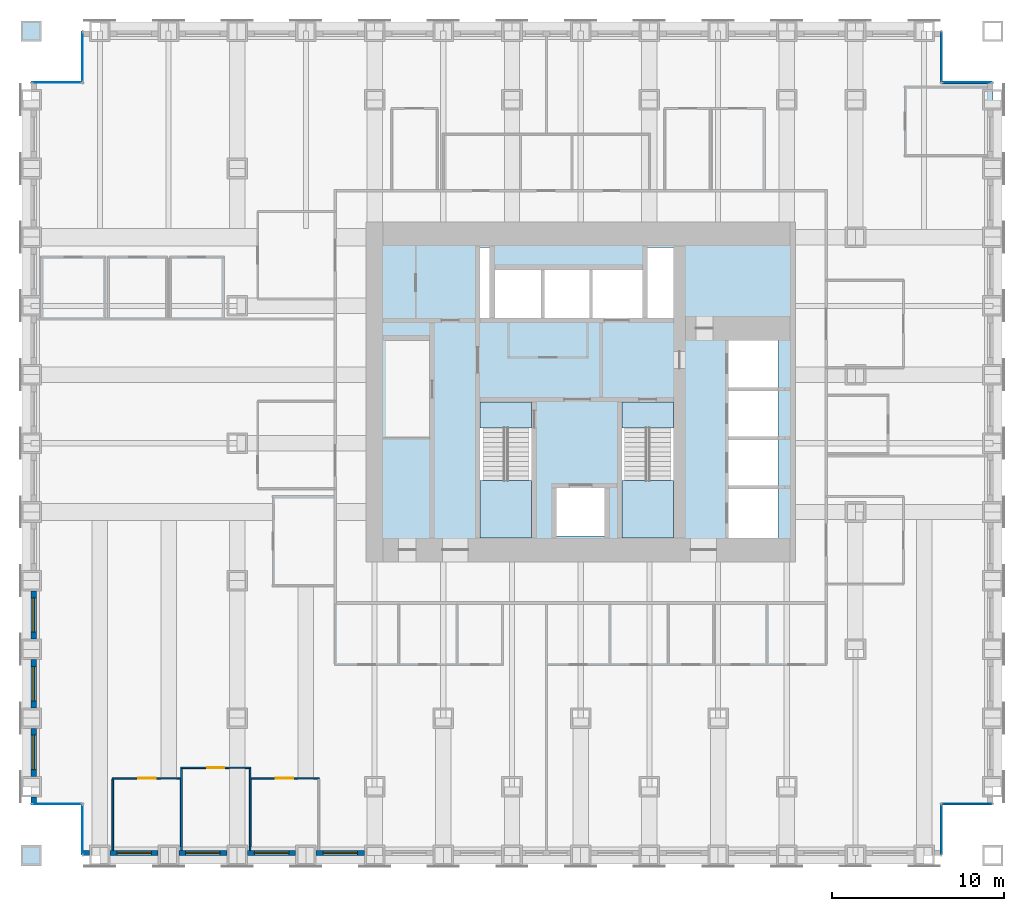
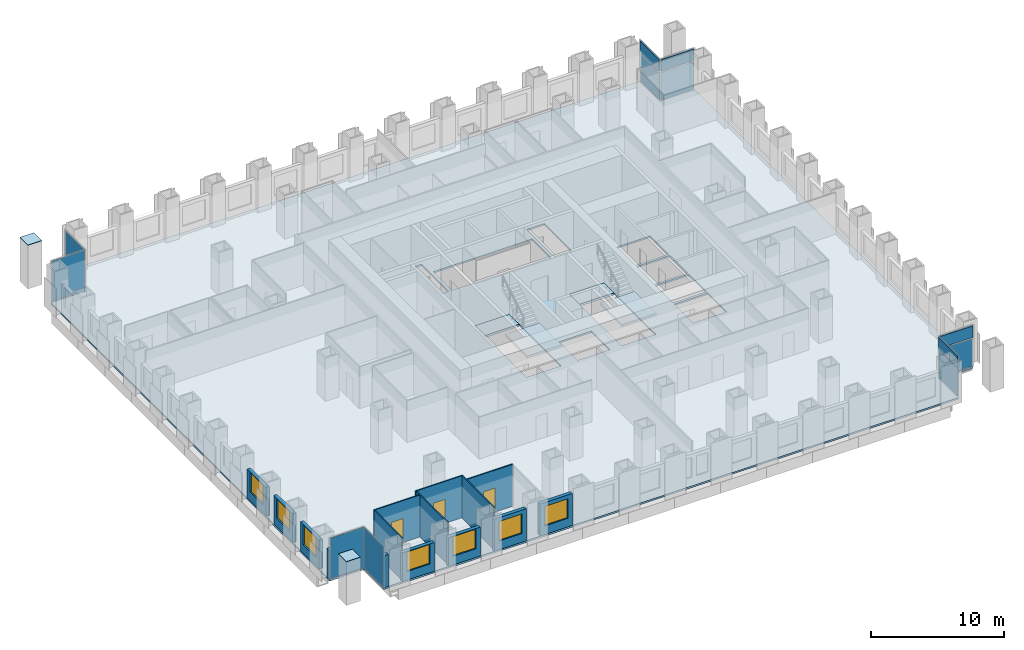
# One storey, part 7 of 15: 15 walls, 14 plates, 7 windows, 5 slabs, 3 doors, 10 openings, 14 elements without a shape of their own.
"""IFC4 building model written with IfcOpenShell, lengths in metres."""

from ifc_helpers import new_model, si_unit, direction, frame, frame_2d, origin, origin_2d, place, context, subcontext, project, spatial, polyline, rectangle, outline, extrude, material, layer, layer_set, type_object, element, fill, aggregate, save


model = new_model("IFC4")

# Units and contexts
model_context = context("Model", 3, precision=1e-05, world=origin(), true_north=direction((0.0, 1.0)))
body_context = subcontext(model_context, "Body", "Model", "MODEL_VIEW")
ifc_project = project(units=[si_unit("LENGTHUNIT", "METRE"), si_unit("AREAUNIT", "SQUARE_METRE"), si_unit("VOLUMEUNIT", "CUBIC_METRE"), si_unit("PLANEANGLEUNIT", "RADIAN"), si_unit("MASSUNIT", "GRAM", prefix="KILO")], contexts=[model_context])

# Site, building, storey
site_placement = place(None, origin())
site = spatial("IfcSite", under=ifc_project, at=site_placement, CompositionType="ELEMENT")
building_placement = place(site_placement, origin())
building = spatial("IfcBuilding", under=site, at=building_placement, Name="Rimbunsela Tower", CompositionType="ELEMENT")
storey_placement = place(building_placement, frame((0.0, 0.0, 67.0)))
storey = spatial("IfcBuildingStorey", under=building, at=storey_placement, Name="L16", CompositionType="ELEMENT", Elevation=67.0)

# Plates
ifc_material_1 = material(Name="Steel BJ 55 (fy 410 MPa)", Category="steel")
ifc_layer_1 = layer(ifc_material_1, 0.050048828125)
ifc_layer_set_1 = layer_set([ifc_layer_1], Name="End cap plate 50")
plate_type_1 = type_object("IfcPlateType", Name="End cap plate 50", PredefinedType="SHEET", material=ifc_layer_set_1)
for number, where, z_axis, x_axis, name in (
    (1, (-2.0, 0.0, 4.0), (0.0, 0.0, 1.0), (1.0, 0.0, 0.0), "End cap Column C6 2/B L16"),
    (2, (-2.0, 48.0, 4.0), (0.0, 0.0, 1.0), (1.0, 0.0, 0.0), "End cap Column C6 2/P L16"),
):
    element("IfcPlate", number, at=place(storey_placement, frame(where, z_axis=z_axis, x_axis=x_axis)), inside=storey, type_object=plate_type_1, Name=name, PredefinedType="SHEET", context=body_context, shape_type="SweptSolid", body=[
        extrude(rectangle(XDim=1.199951171875, YDim=1.199951171875, at=origin_2d()), origin(), (0.0, 0.0, 1.0), 0.050048828125),
    ])

# Slab
ifc_material_2 = material(Name="Concrete fc' 35 MPa", Category="concrete")
ifc_layer_2 = layer(ifc_material_2, 0.14990234375)
ifc_layer_set_2 = layer_set([ifc_layer_2], Name="Floor slab 150")
slab_type_1 = type_object("IfcSlabType", Name="Floor slab 150", PredefinedType="FLOOR", material=ifc_layer_set_2)
slab_1_placement = place(storey_placement, frame((0.0, 0.0, -0.14990234375)))
element("IfcSlab", 3, at=slab_1_placement, inside=storey, type_object=slab_type_1, Name="Floor slab L16", PredefinedType="FLOOR", context=body_context, shape_type="SweptSolid", body=[
    extrude(outline(polyline([(1.0, 0.0), (51.0, 0.0), (51.0, 3.0), (54.0, 3.0), (54.0, 45.0), (51.0, 45.0), (51.0, 48.0), (1.0, 48.0), (1.0, 45.0), (-2.0, 45.0), (-2.0, 3.0), (1.0, 3.0), (1.0, 0.0)]), holes=[polyline([(27.14990234375, 18.60009765625), (27.14990234375, 26.39990234375), (24.14990234375, 26.39990234375), (24.14990234375, 18.60009765625), (27.14990234375, 18.60009765625)]), polyline([(24.699951171875, 31.300048828125), (24.699951171875, 35.39990234375), (24.14990234375, 35.39990234375), (24.14990234375, 31.300048828125), (24.699951171875, 31.300048828125)]), polyline([(25.0, 34.10009765625), (25.0, 31.300048828125), (33.60009765625, 31.300048828125), (33.60009765625, 34.10009765625), (25.0, 34.10009765625)]), polyline([(31.39990234375, 21.39990234375), (28.60009765625, 21.39990234375), (28.60009765625, 18.60009765625), (31.39990234375, 18.60009765625), (31.39990234375, 21.39990234375)]), polyline([(35.39990234375, 18.60009765625), (35.39990234375, 26.39990234375), (32.39990234375, 26.39990234375), (32.39990234375, 18.60009765625), (35.39990234375, 18.60009765625)]), polyline([(35.39990234375, 31.300048828125), (35.39990234375, 35.39990234375), (33.89990234375, 35.39990234375), (33.89990234375, 31.300048828125), (35.39990234375, 31.300048828125)]), polyline([(41.5, 21.35009765625), (38.60009765625, 21.35009765625), (38.60009765625, 18.5), (41.5, 18.5), (41.5, 21.35009765625)]), polyline([(41.5, 21.550048828125), (41.5, 24.199951171875), (38.60009765625, 24.199951171875), (38.60009765625, 21.550048828125), (41.5, 21.550048828125)]), polyline([(41.5, 27.050048828125), (38.60009765625, 27.050048828125), (38.60009765625, 24.39990234375), (41.5, 24.39990234375), (41.5, 27.050048828125)]), polyline([(41.5, 27.25), (41.5, 30.0), (38.60009765625, 30.0), (38.60009765625, 27.25), (41.5, 27.25)])]), origin(), (0.0, 0.0, 1.0), 0.14990234375),
])

# Curtain wall, plate
ifc_material_3 = material(Name="Aluminium curtain wall", Category="aluminium")
curtain_wall_type_1 = type_object("IfcCurtainWallType", Name="Corner glazing", PredefinedType="USERDEFINED", material=ifc_material_3)
curtain_wall_1_placement = place(storey_placement, origin())
curtain_wall_1 = element("IfcCurtainWall", 4, at=curtain_wall_1_placement, inside=storey, type_object=curtain_wall_type_1, Name="Corner glazing L16", ObjectType="CORNER GLAZING", PredefinedType="USERDEFINED")
ifc_material_4 = material(Name="Clear double glazing", Category="glass")
ifc_layer_3 = layer(ifc_material_4, 0.028076171875)
ifc_layer_set_3 = layer_set([ifc_layer_3], Name="Glazed panel clear")
plate_type_2 = type_object("IfcPlateType", Name="Glazed panel clear", PredefinedType="CURTAIN_PANEL", material=ifc_layer_set_3)
plate_1_placement = place(storey_placement, frame((51.0, 1.5, 0.06005859375), z_axis=(0.0, 0.0, 1.0), x_axis=(0.0, 1.0, 0.0)))
plate_1 = element("IfcPlate", 5, at=plate_1_placement, type_object=plate_type_2, Name="CW5 panel 1.1", PredefinedType="CURTAIN_PANEL", context=body_context, shape_type="SweptSolid", body=[
    extrude(rectangle(XDim=2.8798828125, YDim=0.028076171875, at=origin_2d()), origin(), (0.0, 0.0, 1.0), 2.530029296875),
])
aggregate(curtain_wall_1, [plate_1])

curtain_wall_2_placement = place(storey_placement, origin())
curtain_wall_2 = element("IfcCurtainWall", 6, at=curtain_wall_2_placement, inside=storey, type_object=curtain_wall_type_1, Name="Corner glazing L16", ObjectType="CORNER GLAZING", PredefinedType="USERDEFINED")
plate_2_placement = place(storey_placement, frame((52.5, 3.0, 0.06005859375), z_axis=(0.0, 0.0, 1.0), x_axis=(1.0, 0.0, 0.0)))
plate_2 = element("IfcPlate", 7, at=plate_2_placement, type_object=plate_type_2, Name="CW5 panel 1.1", PredefinedType="CURTAIN_PANEL", context=body_context, shape_type="SweptSolid", body=[
    extrude(rectangle(XDim=2.8798828125, YDim=0.028076171875, at=origin_2d()), origin(), (0.0, 0.0, 1.0), 2.530029296875),
])
aggregate(curtain_wall_2, [plate_2])

curtain_wall_3_placement = place(storey_placement, origin())
curtain_wall_3 = element("IfcCurtainWall", 8, at=curtain_wall_3_placement, inside=storey, type_object=curtain_wall_type_1, Name="Corner glazing L16", ObjectType="CORNER GLAZING", PredefinedType="USERDEFINED")
plate_3_placement = place(storey_placement, frame((52.5, 45.0, 0.06005859375), z_axis=(0.0, 0.0, 1.0), x_axis=(-1.0, 0.0, 0.0)))
plate_3 = element("IfcPlate", 9, at=plate_3_placement, type_object=plate_type_2, Name="CW5 panel 1.1", PredefinedType="CURTAIN_PANEL", context=body_context, shape_type="SweptSolid", body=[
    extrude(rectangle(XDim=2.8798828125, YDim=0.028076171875, at=origin_2d()), origin(), (0.0, 0.0, 1.0), 2.530029296875),
])
aggregate(curtain_wall_3, [plate_3])

curtain_wall_4_placement = place(storey_placement, origin())
curtain_wall_4 = element("IfcCurtainWall", 10, at=curtain_wall_4_placement, inside=storey, type_object=curtain_wall_type_1, Name="Corner glazing L16", ObjectType="CORNER GLAZING", PredefinedType="USERDEFINED")
plate_4_placement = place(storey_placement, frame((51.0, 46.5, 0.06005859375), z_axis=(0.0, 0.0, 1.0), x_axis=(0.0, 1.0, 0.0)))
plate_4 = element("IfcPlate", 11, at=plate_4_placement, type_object=plate_type_2, Name="CW5 panel 1.1", PredefinedType="CURTAIN_PANEL", context=body_context, shape_type="SweptSolid", body=[
    extrude(rectangle(XDim=2.8798828125, YDim=0.028076171875, at=origin_2d()), origin(), (0.0, 0.0, 1.0), 2.530029296875),
])
aggregate(curtain_wall_4, [plate_4])

curtain_wall_5_placement = place(storey_placement, origin())
curtain_wall_5 = element("IfcCurtainWall", 12, at=curtain_wall_5_placement, inside=storey, type_object=curtain_wall_type_1, Name="Corner glazing L16", ObjectType="CORNER GLAZING", PredefinedType="USERDEFINED")
plate_5_placement = place(storey_placement, frame((1.0, 46.5, 0.06005859375), z_axis=(0.0, 0.0, 1.0), x_axis=(0.0, -1.0, 0.0)))
plate_5 = element("IfcPlate", 13, at=plate_5_placement, type_object=plate_type_2, Name="CW5 panel 1.1", PredefinedType="CURTAIN_PANEL", context=body_context, shape_type="SweptSolid", body=[
    extrude(rectangle(XDim=2.8798828125, YDim=0.028076171875, at=origin_2d()), origin(), (0.0, 0.0, 1.0), 3.72998046875),
])
aggregate(curtain_wall_5, [plate_5])

curtain_wall_6_placement = place(storey_placement, origin())
curtain_wall_6 = element("IfcCurtainWall", 14, at=curtain_wall_6_placement, inside=storey, type_object=curtain_wall_type_1, Name="Corner glazing L16", ObjectType="CORNER GLAZING", PredefinedType="USERDEFINED")
plate_6_placement = place(storey_placement, frame((-0.5, 45.0, 0.06005859375), z_axis=(0.0, 0.0, 1.0), x_axis=(-1.0, 0.0, 0.0)))
plate_6 = element("IfcPlate", 15, at=plate_6_placement, type_object=plate_type_2, Name="CW5 panel 1.1", PredefinedType="CURTAIN_PANEL", context=body_context, shape_type="SweptSolid", body=[
    extrude(rectangle(XDim=2.8798828125, YDim=0.028076171875, at=origin_2d()), origin(), (0.0, 0.0, 1.0), 3.72998046875),
])
aggregate(curtain_wall_6, [plate_6])

curtain_wall_7_placement = place(storey_placement, origin())
curtain_wall_7 = element("IfcCurtainWall", 16, at=curtain_wall_7_placement, inside=storey, type_object=curtain_wall_type_1, Name="Corner glazing L16", ObjectType="CORNER GLAZING", PredefinedType="USERDEFINED")
plate_7_placement = place(storey_placement, frame((-0.5, 3.0, 0.06005859375), z_axis=(0.0, 0.0, 1.0), x_axis=(1.0, 0.0, 0.0)))
plate_7 = element("IfcPlate", 17, at=plate_7_placement, type_object=plate_type_2, Name="CW5 panel 1.1", PredefinedType="CURTAIN_PANEL", context=body_context, shape_type="SweptSolid", body=[
    extrude(rectangle(XDim=2.8798828125, YDim=0.028076171875, at=origin_2d()), origin(), (0.0, 0.0, 1.0), 3.72998046875),
])
aggregate(curtain_wall_7, [plate_7])

curtain_wall_8_placement = place(storey_placement, origin())
curtain_wall_8 = element("IfcCurtainWall", 18, at=curtain_wall_8_placement, inside=storey, type_object=curtain_wall_type_1, Name="Corner glazing L16", ObjectType="CORNER GLAZING", PredefinedType="USERDEFINED")
plate_8_placement = place(storey_placement, frame((1.0, 1.5, 0.06005859375), z_axis=(0.0, 0.0, 1.0), x_axis=(0.0, -1.0, 0.0)))
plate_8 = element("IfcPlate", 19, at=plate_8_placement, type_object=plate_type_2, Name="CW5 panel 1.1", PredefinedType="CURTAIN_PANEL", context=body_context, shape_type="SweptSolid", body=[
    extrude(rectangle(XDim=2.8798828125, YDim=0.028076171875, at=origin_2d()), origin(), (0.0, 0.0, 1.0), 3.72998046875),
])
aggregate(curtain_wall_8, [plate_8])

ifc_material_5 = material(Name="Aluminium curtain wall", Category="aluminium")
curtain_wall_type_2 = type_object("IfcCurtainWallType", Name="Spandrel wall", PredefinedType="USERDEFINED", material=ifc_material_5)
curtain_wall_9_placement = place(storey_placement, origin())
curtain_wall_9 = element("IfcCurtainWall", 20, at=curtain_wall_9_placement, inside=storey, type_object=curtain_wall_type_2, Name="Spandrel wall L16", ObjectType="SPANDREL WALL", PredefinedType="USERDEFINED")
ifc_material_6 = material(Name="Insulated aluminium spandrel panel", Category="aluminium")
ifc_layer_4 = layer(ifc_material_6, 0.10009765625)
ifc_layer_set_4 = layer_set([ifc_layer_4], Name="Insulated panel 100")
plate_type_3 = type_object("IfcPlateType", Name="Insulated panel 100", PredefinedType="CURTAIN_PANEL", material=ifc_layer_set_4)
plate_9_placement = place(storey_placement, frame((51.0, 1.5, 2.7099609375), z_axis=(0.0, 0.0, 1.0), x_axis=(0.0, 1.0, 0.0)))
plate_9 = element("IfcPlate", 21, at=plate_9_placement, type_object=plate_type_3, Name="CW7 panel 1.1", PredefinedType="CURTAIN_PANEL", context=body_context, shape_type="SweptSolid", body=[
    extrude(rectangle(XDim=2.8798828125, YDim=0.10009765625, at=origin_2d()), origin(), (0.0, 0.0, 1.0), 1.080078125),
])
aggregate(curtain_wall_9, [plate_9])

curtain_wall_10_placement = place(storey_placement, origin())
curtain_wall_10 = element("IfcCurtainWall", 22, at=curtain_wall_10_placement, inside=storey, type_object=curtain_wall_type_2, Name="Spandrel wall L16", ObjectType="SPANDREL WALL", PredefinedType="USERDEFINED")
plate_10_placement = place(storey_placement, frame((52.5, 3.0, 2.7099609375), z_axis=(0.0, 0.0, 1.0), x_axis=(1.0, 0.0, 0.0)))
plate_10 = element("IfcPlate", 23, at=plate_10_placement, type_object=plate_type_3, Name="CW7 panel 1.1", PredefinedType="CURTAIN_PANEL", context=body_context, shape_type="SweptSolid", body=[
    extrude(rectangle(XDim=2.8798828125, YDim=0.10009765625, at=origin_2d()), origin(), (0.0, 0.0, 1.0), 1.080078125),
])
aggregate(curtain_wall_10, [plate_10])

curtain_wall_11_placement = place(storey_placement, origin())
curtain_wall_11 = element("IfcCurtainWall", 24, at=curtain_wall_11_placement, inside=storey, type_object=curtain_wall_type_2, Name="Spandrel wall L16", ObjectType="SPANDREL WALL", PredefinedType="USERDEFINED")
plate_11_placement = place(storey_placement, frame((52.5, 45.0, 2.7099609375), z_axis=(0.0, 0.0, 1.0), x_axis=(-1.0, 0.0, 0.0)))
plate_11 = element("IfcPlate", 25, at=plate_11_placement, type_object=plate_type_3, Name="CW7 panel 1.1", PredefinedType="CURTAIN_PANEL", context=body_context, shape_type="SweptSolid", body=[
    extrude(rectangle(XDim=2.8798828125, YDim=0.10009765625, at=origin_2d()), origin(), (0.0, 0.0, 1.0), 1.080078125),
])
aggregate(curtain_wall_11, [plate_11])

curtain_wall_12_placement = place(storey_placement, origin())
curtain_wall_12 = element("IfcCurtainWall", 26, at=curtain_wall_12_placement, inside=storey, type_object=curtain_wall_type_2, Name="Spandrel wall L16", ObjectType="SPANDREL WALL", PredefinedType="USERDEFINED")
plate_12_placement = place(storey_placement, frame((51.0, 46.5, 2.7099609375), z_axis=(0.0, 0.0, 1.0), x_axis=(0.0, 1.0, 0.0)))
plate_12 = element("IfcPlate", 27, at=plate_12_placement, type_object=plate_type_3, Name="CW7 panel 1.1", PredefinedType="CURTAIN_PANEL", context=body_context, shape_type="SweptSolid", body=[
    extrude(rectangle(XDim=2.8798828125, YDim=0.10009765625, at=origin_2d()), origin(), (0.0, 0.0, 1.0), 1.080078125),
])
aggregate(curtain_wall_12, [plate_12])

# Stair, slabs
ifc_material_7 = material(Name="Concrete fc' 35 MPa", Category="concrete")
stair_type = type_object("IfcStairType", Name="Exit stair 24 risers", PredefinedType="HALF_TURN_STAIR", material=ifc_material_7)
stair_1_placement = place(storey_placement, origin())
stair_1 = element("IfcStair", 28, at=stair_1_placement, inside=storey, type_object=stair_type, Name="Exit stair A L16", PredefinedType="HALF_TURN_STAIR")
ifc_material_8 = material(Name="Concrete fc' 35 MPa", Category="concrete")
ifc_layer_5 = layer(ifc_material_8, 0.199951171875)
ifc_layer_set_5 = layer_set([ifc_layer_5], Name="Stair landing 200")
slab_type_2 = type_object("IfcSlabType", Name="Stair landing 200", PredefinedType="LANDING", material=ifc_layer_set_5)
slab_2_placement = place(storey_placement, frame((0.0, 0.0, -0.199951171875)))
slab_2 = element("IfcSlab", 29, at=slab_2_placement, type_object=slab_type_2, Name="ST-A landing 1", PredefinedType="LANDING", context=body_context, shape_type="SweptSolid", body=[
    extrude(outline(polyline([(24.14990234375, 24.89990234375), (27.14990234375, 24.89990234375), (27.14990234375, 26.39990234375), (24.14990234375, 26.39990234375), (24.14990234375, 24.89990234375)])), origin(), (0.0, 0.0, 1.0), 0.199951171875),
])
slab_3_placement = place(storey_placement, frame((0.0, 0.0, 1.800048828125)))
slab_3 = element("IfcSlab", 30, at=slab_3_placement, type_object=slab_type_2, Name="ST-A landing 2", PredefinedType="LANDING", context=body_context, shape_type="SweptSolid", body=[
    extrude(outline(polyline([(24.14990234375, 18.5), (27.14990234375, 18.5), (27.14990234375, 21.820068359375), (24.14990234375, 21.820068359375), (24.14990234375, 18.5)])), origin(), (0.0, 0.0, 1.0), 0.199951171875),
])
aggregate(stair_1, [slab_2, slab_3])

stair_2_placement = place(storey_placement, origin())
stair_2 = element("IfcStair", 31, at=stair_2_placement, inside=storey, type_object=stair_type, Name="Exit stair B L16", PredefinedType="HALF_TURN_STAIR")
slab_4_placement = place(storey_placement, frame((0.0, 0.0, -0.199951171875)))
slab_4 = element("IfcSlab", 32, at=slab_4_placement, type_object=slab_type_2, Name="ST-B landing 1", PredefinedType="LANDING", context=body_context, shape_type="SweptSolid", body=[
    extrude(outline(polyline([(32.39990234375, 24.89990234375), (35.39990234375, 24.89990234375), (35.39990234375, 26.39990234375), (32.39990234375, 26.39990234375), (32.39990234375, 24.89990234375)])), origin(), (0.0, 0.0, 1.0), 0.199951171875),
])
slab_5_placement = place(storey_placement, frame((0.0, 0.0, 1.800048828125)))
slab_5 = element("IfcSlab", 33, at=slab_5_placement, type_object=slab_type_2, Name="ST-B landing 2", PredefinedType="LANDING", context=body_context, shape_type="SweptSolid", body=[
    extrude(outline(polyline([(32.39990234375, 18.5), (35.39990234375, 18.5), (35.39990234375, 21.820068359375), (32.39990234375, 21.820068359375), (32.39990234375, 18.5)])), origin(), (0.0, 0.0, 1.0), 0.199951171875),
])
aggregate(stair_2, [slab_4, slab_5])

# Wall, opening, door
ifc_material_9 = material(Name="Gypsum board on steel studs", Category="steel")
ifc_layer_6 = layer(ifc_material_9, 0.10009765625)
ifc_layer_set_6 = layer_set([ifc_layer_6], Name="Office partition 100")
wall_type_1 = type_object("IfcWallType", Name="Office partition 100", PredefinedType="PARTITIONING", material=ifc_layer_set_6)
wall_1_placement = place(storey_placement, frame((2.699951171875, 4.5, 0.0), z_axis=(0.0, 0.0, 1.0), x_axis=(1.0, 0.0, 0.0)))
wall_1 = element("IfcWall", 34, at=wall_1_placement, inside=storey, type_object=wall_type_1, Name="Office partition", PredefinedType="PARTITIONING", context=body_context, shape_type="SweptSolid", body=[
    extrude(rectangle(XDim=4.0, YDim=0.10009765625, at=frame_2d((2.0, 0.0))), origin(), (0.0, 0.0, 1.0), 3.85009765625),
])
opening_1_placement = place(wall_1_placement, frame((1.550048828125, 0.0, 0.0)))
opening_1 = element("IfcOpeningElement", 35, at=opening_1_placement, cuts=wall_1, Name="Opening D16", PredefinedType="OPENING", context=body_context, shape_type="SweptSolid", body=[
    extrude(rectangle(XDim=1.0, YDim=2.199951171875, at=frame_2d((0.5, 1.10009765625))), frame((0.0, 0.06005859375, 0.0), z_axis=(0.0, -1.0, 0.0), x_axis=(1.0, 0.0, 0.0)), (0.0, 0.0, 1.0), 0.1201171875),
])
ifc_material_10 = material(Name="Timber door", Category="wood")
door_type_1 = type_object("IfcDoorType", Name="Office door 1000", OperationType="SINGLE_SWING_LEFT", PredefinedType="DOOR", material=ifc_material_10)
door_1_placement = place(opening_1_placement, origin())
door_1 = element("IfcDoor", 36, at=door_1_placement, inside=storey, type_object=door_type_1, Name="Office door", OperationType="SINGLE_SWING_LEFT", OverallHeight=2.199951171875, OverallWidth=1.0, PredefinedType="DOOR", context=body_context, shape_type="SweptSolid", body=[
    extrude(rectangle(XDim=1.0, YDim=2.199951171875, at=frame_2d((0.5, 1.10009765625))), frame((0.0, 0.02490234375, 0.0), z_axis=(0.0, -1.0, 0.0), x_axis=(1.0, 0.0, 0.0)), (0.0, 0.0, 1.0), 0.050048828125),
])
fill(opening_1, door_1)

wall_2_placement = place(storey_placement, frame((10.800048828125, 4.5, 0.0), z_axis=(0.0, 0.0, 1.0), x_axis=(1.0, 0.0, 0.0)))
wall_2 = element("IfcWall", 37, at=wall_2_placement, inside=storey, type_object=wall_type_1, Name="Office partition", PredefinedType="PARTITIONING", context=body_context, shape_type="SweptSolid", body=[
    extrude(rectangle(XDim=4.0, YDim=0.10009765625, at=frame_2d((2.0, 0.0))), origin(), (0.0, 0.0, 1.0), 3.85009765625),
])
opening_2_placement = place(wall_2_placement, frame((1.449951171875, 0.0, 0.0)))
opening_2 = element("IfcOpeningElement", 38, at=opening_2_placement, cuts=wall_2, Name="Opening D16", PredefinedType="OPENING", context=body_context, shape_type="SweptSolid", body=[
    extrude(rectangle(XDim=1.0, YDim=2.199951171875, at=frame_2d((0.5, 1.10009765625))), frame((0.0, 0.06005859375, 0.0), z_axis=(0.0, -1.0, 0.0), x_axis=(1.0, 0.0, 0.0)), (0.0, 0.0, 1.0), 0.1201171875),
])
door_2_placement = place(opening_2_placement, origin())
door_2 = element("IfcDoor", 39, at=door_2_placement, inside=storey, type_object=door_type_1, Name="Office door", OperationType="SINGLE_SWING_LEFT", OverallHeight=2.199951171875, OverallWidth=1.0, PredefinedType="DOOR", context=body_context, shape_type="SweptSolid", body=[
    extrude(rectangle(XDim=1.0, YDim=2.199951171875, at=frame_2d((0.5, 1.10009765625))), frame((0.0, 0.02490234375, 0.0), z_axis=(0.0, -1.0, 0.0), x_axis=(1.0, 0.0, 0.0)), (0.0, 0.0, 1.0), 0.050048828125),
])
fill(opening_2, door_2)

wall_3_placement = place(storey_placement, frame((6.699951171875, 5.10009765625, 0.0), z_axis=(0.0, 0.0, 1.0), x_axis=(1.0, 0.0, 0.0)))
wall_3 = element("IfcWall", 40, at=wall_3_placement, inside=storey, type_object=wall_type_1, Name="Office partition", PredefinedType="PARTITIONING", context=body_context, shape_type="SweptSolid", body=[
    extrude(rectangle(XDim=4.10009765625, YDim=0.10009765625, at=frame_2d((2.050048828125, 0.0))), origin(), (0.0, 0.0, 1.0), 3.85009765625),
])
opening_3_placement = place(wall_3_placement, frame((1.550048828125, 0.0, 0.0)))
opening_3 = element("IfcOpeningElement", 41, at=opening_3_placement, cuts=wall_3, Name="Opening D17", PredefinedType="OPENING", context=body_context, shape_type="SweptSolid", body=[
    extrude(rectangle(XDim=1.0, YDim=2.199951171875, at=frame_2d((0.5, 1.10009765625))), frame((0.0, 0.06005859375, 0.0), z_axis=(0.0, -1.0, 0.0), x_axis=(1.0, 0.0, 0.0)), (0.0, 0.0, 1.0), 0.1201171875),
])
ifc_material_11 = material(Name="Glazed aluminium door", Category="aluminium")
door_type_2 = type_object("IfcDoorType", Name="Meeting room door 1000 glazed", OperationType="SINGLE_SWING_RIGHT", PredefinedType="DOOR", material=ifc_material_11)
door_3_placement = place(opening_3_placement, origin())
door_3 = element("IfcDoor", 42, at=door_3_placement, inside=storey, type_object=door_type_2, Name="Meeting room door", OperationType="SINGLE_SWING_RIGHT", OverallHeight=2.199951171875, OverallWidth=1.0, PredefinedType="DOOR", context=body_context, shape_type="SweptSolid", body=[
    extrude(rectangle(XDim=1.0, YDim=2.199951171875, at=frame_2d((0.5, 1.10009765625))), frame((0.0, 0.02490234375, 0.0), z_axis=(0.0, -1.0, 0.0), x_axis=(1.0, 0.0, 0.0)), (0.0, 0.0, 1.0), 0.050048828125),
])
fill(opening_3, door_3)

# Walls
wall_4_placement = place(storey_placement, frame((2.75, 0.300048828125, 0.0), z_axis=(0.0, 0.0, 1.0), x_axis=(0.0, 1.0, 0.0)))
element("IfcWall", 43, at=wall_4_placement, inside=storey, type_object=wall_type_1, Name="Office partition", PredefinedType="PARTITIONING", context=body_context, shape_type="SweptSolid", body=[
    extrude(rectangle(XDim=4.14990234375, YDim=0.10009765625, at=frame_2d((2.074951171875, 0.0))), origin(), (0.0, 0.0, 1.0), 3.85009765625),
])
for number, where, z_axis, x_axis, name in (
    (44, (6.75, 0.300048828125, 0.0), (0.0, 0.0, 1.0), (0.0, 1.0, 0.0), "Office partition"),
    (45, (10.75, 0.300048828125, 0.0), (0.0, 0.0, 1.0), (0.0, 1.0, 0.0), "Office partition"),
):
    element("IfcWall", number, at=place(storey_placement, frame(where, z_axis=z_axis, x_axis=x_axis)), inside=storey, type_object=wall_type_1, Name=name, PredefinedType="PARTITIONING", context=body_context, shape_type="SweptSolid", body=[
        extrude(rectangle(XDim=4.75, YDim=0.10009765625, at=frame_2d((2.375, 0.0))), origin(), (0.0, 0.0, 1.0), 3.85009765625),
    ])
ifc_material_12 = material(Name="Precast concrete fc' 35 MPa", Category="concrete")
ifc_layer_7 = layer(ifc_material_12, 0.300048828125)
ifc_layer_set_7 = layer_set([ifc_layer_7], Name="Precast concrete fc' 35 MPa")
wall_type_2 = type_object("IfcWallType", Name="Precast facade panel 300", PredefinedType="ELEMENTEDWALL", material=ifc_layer_set_7)
wall_5_placement = place(storey_placement, frame((1.030029296875, 0.14990234375, 0.0), z_axis=(0.0, 0.0, 1.0), x_axis=(1.0, 0.0, 0.0)))
element("IfcWall", 46, at=wall_5_placement, inside=storey, type_object=wall_type_2, Name="Facade panel S L16", PredefinedType="ELEMENTEDWALL", context=body_context, shape_type="SweptSolid", body=[
    extrude(rectangle(XDim=0.369873046875, YDim=0.300048828125, at=frame_2d((0.18505859375, 0.0))), origin(), (0.0, 0.0, 1.0), 2.949951171875),
])

# Wall, opening, window
wall_6_placement = place(storey_placement, frame((2.60009765625, 0.14990234375, 0.0), z_axis=(0.0, 0.0, 1.0), x_axis=(1.0, 0.0, 0.0)))
wall_6 = element("IfcWall", 47, at=wall_6_placement, inside=storey, type_object=wall_type_2, Name="Facade panel S L16", PredefinedType="ELEMENTEDWALL", context=body_context, shape_type="SweptSolid", body=[
    extrude(rectangle(XDim=2.7998046875, YDim=0.300048828125, at=frame_2d((1.39990234375, 0.0))), origin(), (0.0, 0.0, 1.0), 2.64990234375),
])
opening_4_placement = place(wall_6_placement, frame((0.39990234375, 0.0, 0.800048828125)))
opening_4 = element("IfcOpeningElement", 48, at=opening_4_placement, cuts=wall_6, Name="Opening W7", PredefinedType="OPENING", context=body_context, shape_type="SweptSolid", body=[
    extrude(rectangle(XDim=2.0, YDim=1.800048828125, at=frame_2d((1.0, 0.89990234375))), frame((0.0, 0.159912109375, 0.0), z_axis=(0.0, -1.0, 0.0), x_axis=(1.0, 0.0, 0.0)), (0.0, 0.0, 1.0), 0.320068359375),
])
ifc_material_13 = material(Name="Clear glass in aluminium frame", Category="aluminium")
window_type = type_object("IfcWindowType", Name="Window W7 2000x1800", PartitioningType="DOUBLE_PANEL_VERTICAL", PredefinedType="WINDOW", material=ifc_material_13)
window_1_placement = place(opening_4_placement, origin())
window_1 = element("IfcWindow", 49, at=window_1_placement, inside=storey, type_object=window_type, Name="Window L16", OverallHeight=1.800048828125, OverallWidth=2.0, PartitioningType="SINGLE_PANEL", PredefinedType="WINDOW", context=body_context, shape_type="SweptSolid", body=[
    extrude(rectangle(XDim=2.0, YDim=1.800048828125, at=frame_2d((1.0, 0.89990234375))), frame((0.0, 0.030029296875, 0.0), z_axis=(0.0, -1.0, 0.0), x_axis=(1.0, 0.0, 0.0)), (0.0, 0.0, 1.0), 0.06005859375),
])
fill(opening_4, window_1)

wall_7_placement = place(storey_placement, frame((6.60009765625, 0.14990234375, 0.0), z_axis=(0.0, 0.0, 1.0), x_axis=(1.0, 0.0, 0.0)))
wall_7 = element("IfcWall", 50, at=wall_7_placement, inside=storey, type_object=wall_type_2, Name="Facade panel S L16", PredefinedType="ELEMENTEDWALL", context=body_context, shape_type="SweptSolid", body=[
    extrude(rectangle(XDim=2.7998046875, YDim=0.300048828125, at=frame_2d((1.39990234375, 0.0))), origin(), (0.0, 0.0, 1.0), 2.64990234375),
])
opening_5_placement = place(wall_7_placement, frame((0.39990234375, 0.0, 0.800048828125)))
opening_5 = element("IfcOpeningElement", 51, at=opening_5_placement, cuts=wall_7, Name="Opening W7", PredefinedType="OPENING", context=body_context, shape_type="SweptSolid", body=[
    extrude(rectangle(XDim=2.0, YDim=1.800048828125, at=frame_2d((1.0, 0.89990234375))), frame((0.0, 0.159912109375, 0.0), z_axis=(0.0, -1.0, 0.0), x_axis=(1.0, 0.0, 0.0)), (0.0, 0.0, 1.0), 0.320068359375),
])
window_2_placement = place(opening_5_placement, origin())
window_2 = element("IfcWindow", 52, at=window_2_placement, inside=storey, type_object=window_type, Name="Window L16", OverallHeight=1.800048828125, OverallWidth=2.0, PartitioningType="SINGLE_PANEL", PredefinedType="WINDOW", context=body_context, shape_type="SweptSolid", body=[
    extrude(rectangle(XDim=2.0, YDim=1.800048828125, at=frame_2d((1.0, 0.89990234375))), frame((0.0, 0.030029296875, 0.0), z_axis=(0.0, -1.0, 0.0), x_axis=(1.0, 0.0, 0.0)), (0.0, 0.0, 1.0), 0.06005859375),
])
fill(opening_5, window_2)

wall_8_placement = place(storey_placement, frame((10.60009765625, 0.14990234375, 0.0), z_axis=(0.0, 0.0, 1.0), x_axis=(1.0, 0.0, 0.0)))
wall_8 = element("IfcWall", 53, at=wall_8_placement, inside=storey, type_object=wall_type_2, Name="Facade panel S L16", PredefinedType="ELEMENTEDWALL", context=body_context, shape_type="SweptSolid", body=[
    extrude(rectangle(XDim=2.7998046875, YDim=0.300048828125, at=frame_2d((1.39990234375, 0.0))), origin(), (0.0, 0.0, 1.0), 2.949951171875),
])
opening_6_placement = place(wall_8_placement, frame((0.39990234375, 0.0, 0.800048828125)))
opening_6 = element("IfcOpeningElement", 54, at=opening_6_placement, cuts=wall_8, Name="Opening W7", PredefinedType="OPENING", context=body_context, shape_type="SweptSolid", body=[
    extrude(rectangle(XDim=2.0, YDim=1.800048828125, at=frame_2d((1.0, 0.89990234375))), frame((0.0, 0.159912109375, 0.0), z_axis=(0.0, -1.0, 0.0), x_axis=(1.0, 0.0, 0.0)), (0.0, 0.0, 1.0), 0.320068359375),
])
window_3_placement = place(opening_6_placement, origin())
window_3 = element("IfcWindow", 55, at=window_3_placement, inside=storey, type_object=window_type, Name="Window L16", OverallHeight=1.800048828125, OverallWidth=2.0, PartitioningType="SINGLE_PANEL", PredefinedType="WINDOW", context=body_context, shape_type="SweptSolid", body=[
    extrude(rectangle(XDim=2.0, YDim=1.800048828125, at=frame_2d((1.0, 0.89990234375))), frame((0.0, 0.030029296875, 0.0), z_axis=(0.0, -1.0, 0.0), x_axis=(1.0, 0.0, 0.0)), (0.0, 0.0, 1.0), 0.06005859375),
])
fill(opening_6, window_3)

wall_9_placement = place(storey_placement, frame((14.60009765625, 0.14990234375, 0.0), z_axis=(0.0, 0.0, 1.0), x_axis=(1.0, 0.0, 0.0)))
wall_9 = element("IfcWall", 56, at=wall_9_placement, inside=storey, type_object=wall_type_2, Name="Facade panel S L16", PredefinedType="ELEMENTEDWALL", context=body_context, shape_type="SweptSolid", body=[
    extrude(rectangle(XDim=2.7998046875, YDim=0.300048828125, at=frame_2d((1.39990234375, 0.0))), origin(), (0.0, 0.0, 1.0), 2.949951171875),
])
opening_7_placement = place(wall_9_placement, frame((0.39990234375, 0.0, 0.800048828125)))
opening_7 = element("IfcOpeningElement", 57, at=opening_7_placement, cuts=wall_9, Name="Opening W7", PredefinedType="OPENING", context=body_context, shape_type="SweptSolid", body=[
    extrude(rectangle(XDim=2.0, YDim=1.800048828125, at=frame_2d((1.0, 0.89990234375))), frame((0.0, 0.159912109375, 0.0), z_axis=(0.0, -1.0, 0.0), x_axis=(1.0, 0.0, 0.0)), (0.0, 0.0, 1.0), 0.320068359375),
])
window_4_placement = place(opening_7_placement, origin())
window_4 = element("IfcWindow", 58, at=window_4_placement, inside=storey, type_object=window_type, Name="Window L16", OverallHeight=1.800048828125, OverallWidth=2.0, PartitioningType="SINGLE_PANEL", PredefinedType="WINDOW", context=body_context, shape_type="SweptSolid", body=[
    extrude(rectangle(XDim=2.0, YDim=1.800048828125, at=frame_2d((1.0, 0.89990234375))), frame((0.0, 0.030029296875, 0.0), z_axis=(0.0, -1.0, 0.0), x_axis=(1.0, 0.0, 0.0)), (0.0, 0.0, 1.0), 0.06005859375),
])
fill(opening_7, window_4)

# Wall
wall_10_placement = place(storey_placement, frame((-1.85009765625, 3.39990234375, 0.0), z_axis=(0.0, 0.0, 1.0), x_axis=(0.0, -1.0, 0.0)))
element("IfcWall", 59, at=wall_10_placement, inside=storey, type_object=wall_type_2, Name="Facade panel W L16", PredefinedType="ELEMENTEDWALL", context=body_context, shape_type="SweptSolid", body=[
    extrude(rectangle(XDim=0.369873046875, YDim=0.300048828125, at=frame_2d((0.18505859375, 0.0))), origin(), (0.0, 0.0, 1.0), 2.64990234375),
])

# Wall, opening, window
wall_11_placement = place(storey_placement, frame((-1.85009765625, 7.39990234375, 0.0), z_axis=(0.0, 0.0, 1.0), x_axis=(0.0, -1.0, 0.0)))
wall_11 = element("IfcWall", 60, at=wall_11_placement, inside=storey, type_object=wall_type_2, Name="Facade panel W L16", PredefinedType="ELEMENTEDWALL", context=body_context, shape_type="SweptSolid", body=[
    extrude(rectangle(XDim=2.7998046875, YDim=0.300048828125, at=frame_2d((1.39990234375, 0.0))), origin(), (0.0, 0.0, 1.0), 2.64990234375),
])
opening_8_placement = place(wall_11_placement, frame((0.39990234375, 0.0, 0.800048828125)))
opening_8 = element("IfcOpeningElement", 61, at=opening_8_placement, cuts=wall_11, Name="Opening W7", PredefinedType="OPENING", context=body_context, shape_type="SweptSolid", body=[
    extrude(rectangle(XDim=2.0, YDim=1.800048828125, at=frame_2d((1.0, 0.89990234375))), frame((0.0, 0.159912109375, 0.0), z_axis=(0.0, -1.0, 0.0), x_axis=(1.0, 0.0, 0.0)), (0.0, 0.0, 1.0), 0.320068359375),
])
window_5_placement = place(opening_8_placement, origin())
window_5 = element("IfcWindow", 62, at=window_5_placement, inside=storey, type_object=window_type, Name="Window L16", OverallHeight=1.800048828125, OverallWidth=2.0, PartitioningType="SINGLE_PANEL", PredefinedType="WINDOW", context=body_context, shape_type="SweptSolid", body=[
    extrude(rectangle(XDim=2.0, YDim=1.800048828125, at=frame_2d((1.0, 0.89990234375))), frame((0.0, 0.030029296875, 0.0), z_axis=(0.0, -1.0, 0.0), x_axis=(1.0, 0.0, 0.0)), (0.0, 0.0, 1.0), 0.06005859375),
])
fill(opening_8, window_5)

wall_12_placement = place(storey_placement, frame((-1.85009765625, 11.39990234375, 0.0), z_axis=(0.0, 0.0, 1.0), x_axis=(0.0, -1.0, 0.0)))
wall_12 = element("IfcWall", 63, at=wall_12_placement, inside=storey, type_object=wall_type_2, Name="Facade panel W L16", PredefinedType="ELEMENTEDWALL", context=body_context, shape_type="SweptSolid", body=[
    extrude(rectangle(XDim=2.7998046875, YDim=0.300048828125, at=frame_2d((1.39990234375, 0.0))), origin(), (0.0, 0.0, 1.0), 2.64990234375),
])
opening_9_placement = place(wall_12_placement, frame((0.39990234375, 0.0, 0.800048828125)))
opening_9 = element("IfcOpeningElement", 64, at=opening_9_placement, cuts=wall_12, Name="Opening W7", PredefinedType="OPENING", context=body_context, shape_type="SweptSolid", body=[
    extrude(rectangle(XDim=2.0, YDim=1.800048828125, at=frame_2d((1.0, 0.89990234375))), frame((0.0, 0.159912109375, 0.0), z_axis=(0.0, -1.0, 0.0), x_axis=(1.0, 0.0, 0.0)), (0.0, 0.0, 1.0), 0.320068359375),
])
window_6_placement = place(opening_9_placement, origin())
window_6 = element("IfcWindow", 65, at=window_6_placement, inside=storey, type_object=window_type, Name="Window L16", OverallHeight=1.800048828125, OverallWidth=2.0, PartitioningType="SINGLE_PANEL", PredefinedType="WINDOW", context=body_context, shape_type="SweptSolid", body=[
    extrude(rectangle(XDim=2.0, YDim=1.800048828125, at=frame_2d((1.0, 0.89990234375))), frame((0.0, 0.030029296875, 0.0), z_axis=(0.0, -1.0, 0.0), x_axis=(1.0, 0.0, 0.0)), (0.0, 0.0, 1.0), 0.06005859375),
])
fill(opening_9, window_6)

wall_13_placement = place(storey_placement, frame((-1.85009765625, 15.39990234375, 0.0), z_axis=(0.0, 0.0, 1.0), x_axis=(0.0, -1.0, 0.0)))
wall_13 = element("IfcWall", 66, at=wall_13_placement, inside=storey, type_object=wall_type_2, Name="Facade panel W L16", PredefinedType="ELEMENTEDWALL", context=body_context, shape_type="SweptSolid", body=[
    extrude(rectangle(XDim=2.7998046875, YDim=0.300048828125, at=frame_2d((1.39990234375, 0.0))), origin(), (0.0, 0.0, 1.0), 2.64990234375),
])
opening_10_placement = place(wall_13_placement, frame((0.39990234375, 0.0, 0.800048828125)))
opening_10 = element("IfcOpeningElement", 67, at=opening_10_placement, cuts=wall_13, Name="Opening W7", PredefinedType="OPENING", context=body_context, shape_type="SweptSolid", body=[
    extrude(rectangle(XDim=2.0, YDim=1.800048828125, at=frame_2d((1.0, 0.89990234375))), frame((0.0, 0.159912109375, 0.0), z_axis=(0.0, -1.0, 0.0), x_axis=(1.0, 0.0, 0.0)), (0.0, 0.0, 1.0), 0.320068359375),
])
window_7_placement = place(opening_10_placement, origin())
window_7 = element("IfcWindow", 68, at=window_7_placement, inside=storey, type_object=window_type, Name="Window L16", OverallHeight=1.800048828125, OverallWidth=2.0, PartitioningType="SINGLE_PANEL", PredefinedType="WINDOW", context=body_context, shape_type="SweptSolid", body=[
    extrude(rectangle(XDim=2.0, YDim=1.800048828125, at=frame_2d((1.0, 0.89990234375))), frame((0.0, 0.030029296875, 0.0), z_axis=(0.0, -1.0, 0.0), x_axis=(1.0, 0.0, 0.0)), (0.0, 0.0, 1.0), 0.06005859375),
])
fill(opening_10, window_7)

save(model, "model.ifc")
